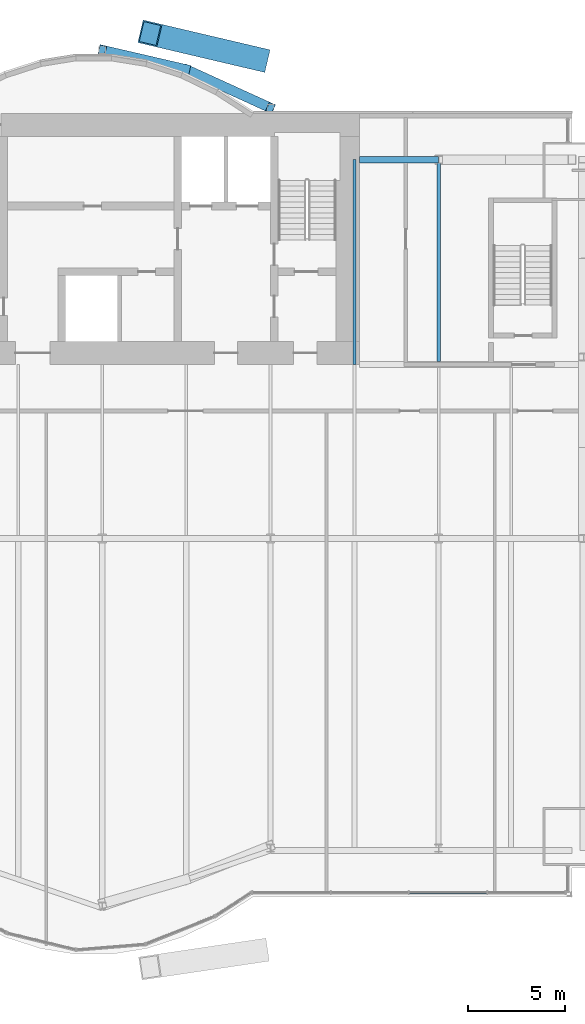
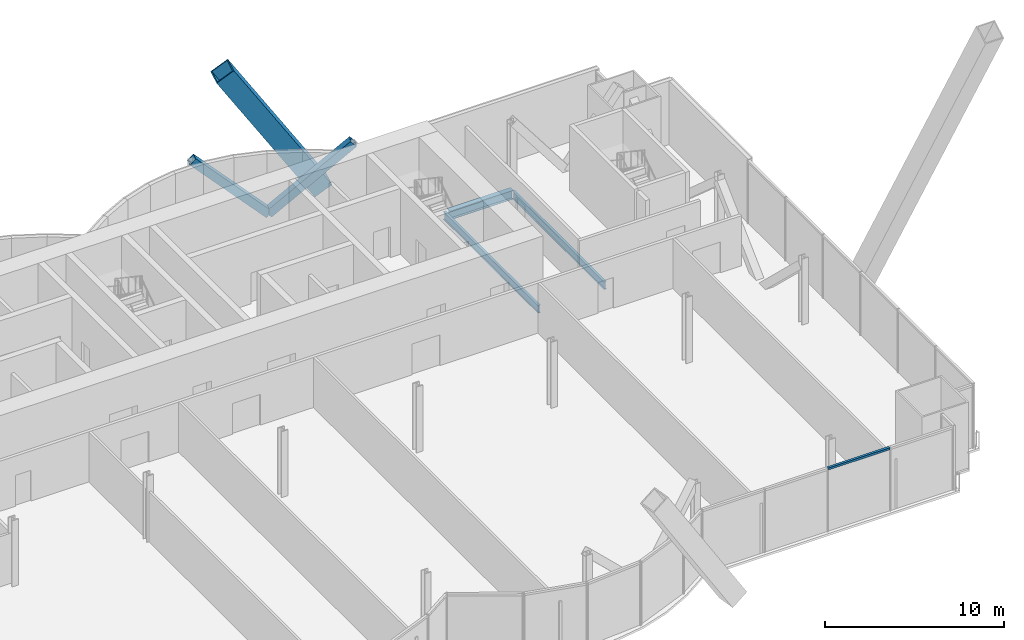
# One storey, part 12 of 23: 4 members, 3 beams, 1 element without a shape of its own.
"""IFC4 building model written with IfcOpenShell, lengths in metres."""

from ifc_helpers import new_model, si_unit, direction, frame, origin, origin_2d, place, context, subcontext, project, spatial, rectangle, hollow_rectangle, i_section, extrude, material, material_profile, profile_set, type_object, element, aggregate, save


model = new_model("IFC4")

# Units and contexts
model_context = context("Model", 3, precision=1e-05, world=origin(), true_north=direction((0.0, 1.0)))
body_context = subcontext(model_context, "Body", "Model", "MODEL_VIEW")
ifc_project = project(units=[si_unit("LENGTHUNIT", "METRE"), si_unit("AREAUNIT", "SQUARE_METRE"), si_unit("VOLUMEUNIT", "CUBIC_METRE"), si_unit("PLANEANGLEUNIT", "RADIAN"), si_unit("MASSUNIT", "GRAM", prefix="KILO")], contexts=[model_context])

# Site, building, storey
site_placement = place(None, origin())
site = spatial("IfcSite", under=ifc_project, at=site_placement, CompositionType="ELEMENT")
building_placement = place(site_placement, origin())
building = spatial("IfcBuilding", under=site, at=building_placement, Name="Bicima Exchange Tower", CompositionType="ELEMENT")
storey_placement = place(building_placement, frame((0.0, 0.0, 62.0)))
storey = spatial("IfcBuildingStorey", under=building, at=storey_placement, Name="L12", CompositionType="ELEMENT", Elevation=62.0)

# Member
ifc_material_1 = material(Name="Steel ASTM A572 Gr 50", Category="steel")
ifc_material_profile_1 = material_profile(ifc_material_1, hollow_rectangle(XDim=1.199951171875, YDim=1.199951171875, WallThickness=0.070068359375, at=origin_2d()))
ifc_profile_set_1 = profile_set([ifc_material_profile_1], Name="Steel ASTM A572 Gr 50")
member_type_1 = type_object("IfcMemberType", Name="Exo mega brace BOX 1200x1200x70", PredefinedType="BRACE", material=ifc_profile_set_1)
member_1_placement = place(storey_placement, frame((16.75, 2.8125, 0.22509765625), z_axis=(-0.526282956068, 0.123717572776, 0.841261084526), x_axis=(-0.228840031766, -0.973464041381, 0.0)))
element("IfcMember", 1, at=member_1_placement, inside=storey, type_object=member_type_1, Name="Exo mega brace rear", PredefinedType="BRACE", context=body_context, shape_type="SweptSolid", body=[
    extrude(hollow_rectangle(XDim=1.199951171875, YDim=1.199951171875, WallThickness=0.070068359375, at=origin_2d()), origin(), (0.0, 0.0, 1.0), 10.60888671875),
])

# Beams
ifc_material_2 = material(Name="Steel ASTM A992 Gr 50", Category="steel")
ifc_material_profile_2 = material_profile(ifc_material_2, i_section(OverallWidth=0.165771484375, OverallDepth=0.5283203125, WebThickness=0.009765625, FlangeThickness=0.013671875, at=origin_2d()))
ifc_profile_set_2 = profile_set([ifc_material_profile_2], Name="Steel ASTM A992 Gr 50")
beam_type_1 = type_object("IfcBeamType", Name="Floor beam W21x50", PredefinedType="JOIST", material=ifc_profile_set_2)
beam_1_placement = place(storey_placement, frame((21.75, -2.39990234375, -0.414306640625), z_axis=(0.0, -1.0, 0.0), x_axis=(1.0, 0.0, 0.0)))
element("IfcBeam", 2, at=beam_1_placement, inside=storey, type_object=beam_type_1, Name="Floor beam", PredefinedType="JOIST", context=body_context, shape_type="SweptSolid", body=[
    extrude(i_section(OverallWidth=0.165771484375, OverallDepth=0.5283203125, WebThickness=0.009765625, FlangeThickness=0.013671875, at=origin_2d()), origin(), (0.0, 0.0, 1.0), 10.60009765625),
])
beam_2_placement = place(storey_placement, frame((26.10009765625, -2.5625, -0.414306640625), z_axis=(0.0, -1.0, 0.0), x_axis=(1.0, 0.0, 0.0)))
element("IfcBeam", 3, at=beam_2_placement, inside=storey, type_object=beam_type_1, Name="Floor beam", PredefinedType="JOIST", context=body_context, shape_type="SweptSolid", body=[
    extrude(i_section(OverallWidth=0.165771484375, OverallDepth=0.5283203125, WebThickness=0.009765625, FlangeThickness=0.013671875, at=origin_2d()), origin(), (0.0, 0.0, 1.0), 10.28515625),
])

# Curtain wall, member
ifc_material_3 = material(Name="Anodised bronze aluminium", Category="aluminium")
curtain_wall_type = type_object("IfcCurtainWallType", Name="Front glass wall", PredefinedType="NOTDEFINED", material=ifc_material_3)
curtain_wall_placement = place(storey_placement, origin())
curtain_wall = element("IfcCurtainWall", 4, at=curtain_wall_placement, inside=storey, type_object=curtain_wall_type, Name="Front glass wall L12 run 16", PredefinedType="NOTDEFINED")
ifc_material_profile_3 = material_profile(ifc_material_3, rectangle(XDim=0.159912109375, YDim=0.139892578125, at=origin_2d()))
ifc_profile_set_3 = profile_set([ifc_material_profile_3], Name="Anodised bronze aluminium")
member_type_2 = type_object("IfcMemberType", Name="Front glass wall transom 140 x 160", PredefinedType="USERDEFINED", material=ifc_profile_set_3)
member_2_placement = place(storey_placement, frame((24.591064453125, -40.305908203125, 4.280029296875), z_axis=(1.0, 0.0, 0.0), x_axis=(0.0, 1.0, 0.0)))
member_2 = element("IfcMember", 5, at=member_2_placement, type_object=member_type_2, Name="Front glass wall transom 3.1", ObjectType="TRANSOM", PredefinedType="USERDEFINED", context=body_context, shape_type="SweptSolid", body=[
    extrude(rectangle(XDim=0.159912109375, YDim=0.139892578125, at=origin_2d()), origin(), (0.0, 0.0, 1.0), 3.989501953125),
])
aggregate(curtain_wall, [member_2])

# Members
ifc_material_profile_4 = material_profile(ifc_material_1, hollow_rectangle(XDim=0.508056640625, YDim=0.508056640625, WallThickness=0.017822265625, at=origin_2d()))
ifc_profile_set_4 = profile_set([ifc_material_profile_4], Name="Steel ASTM A572 Gr 50")
member_type_3 = type_object("IfcMemberType", Name="Mega brace HSS20x20x3/4", PredefinedType="BRACE", material=ifc_profile_set_4)
member_3_placement = place(storey_placement, frame((13.050048828125, 2.262451171875, 0.0), z_axis=(0.662507516739, -0.302231638101, 0.685375683254), x_axis=(0.415045223819, 0.909800781592, 0.0)))
element("IfcMember", 6, at=member_3_placement, inside=storey, type_object=member_type_3, Name="Mega brace rexo", PredefinedType="BRACE", context=body_context, shape_type="SweptSolid", body=[
    extrude(hollow_rectangle(XDim=0.508056640625, YDim=0.508056640625, WallThickness=0.017822265625, at=origin_2d()), origin(), (0.0, 0.0, 1.0), 6.565673828125),
])
member_4_placement = place(storey_placement, frame((13.050048828125, 2.262451171875, 0.0), z_axis=(-0.686212303743, 0.158786245837, 0.709858860848), x_axis=(-0.225438503722, -0.974257399787, 0.0)))
element("IfcMember", 7, at=member_4_placement, inside=storey, type_object=member_type_3, Name="Mega brace rexo", PredefinedType="BRACE", context=body_context, shape_type="SweptSolid", body=[
    extrude(hollow_rectangle(XDim=0.508056640625, YDim=0.508056640625, WallThickness=0.017822265625, at=origin_2d()), origin(), (0.0, 0.0, 1.0), 6.33935546875),
])

# Beam
ifc_material_profile_5 = material_profile(ifc_material_2, i_section(OverallWidth=0.3251953125, OverallDepth=0.612060546875, WebThickness=0.0126953125, FlangeThickness=0.01904296875, at=origin_2d()))
ifc_profile_set_5 = profile_set([ifc_material_profile_5], Name="Steel ASTM A992 Gr 50")
beam_type_2 = type_object("IfcBeamType", Name="Rear girder W24x104", PredefinedType="BEAM", material=ifc_profile_set_5)
beam_3_placement = place(storey_placement, frame((22.0, -2.39990234375, -0.4560546875), z_axis=(1.0, 0.0, 0.0), x_axis=(0.0, 1.0, 0.0)))
element("IfcBeam", 8, at=beam_3_placement, inside=storey, type_object=beam_type_2, Name="Rear girder", PredefinedType="BEAM", context=body_context, shape_type="SweptSolid", body=[
    extrude(i_section(OverallWidth=0.3251953125, OverallDepth=0.612060546875, WebThickness=0.0126953125, FlangeThickness=0.01904296875, at=origin_2d()), origin(), (0.0, 0.0, 1.0), 4.10009765625),
])

save(model, "model.ifc")
